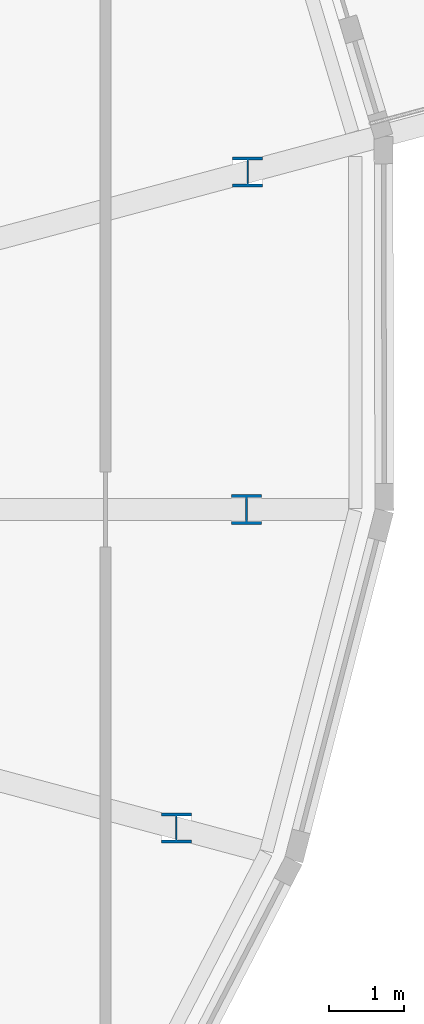
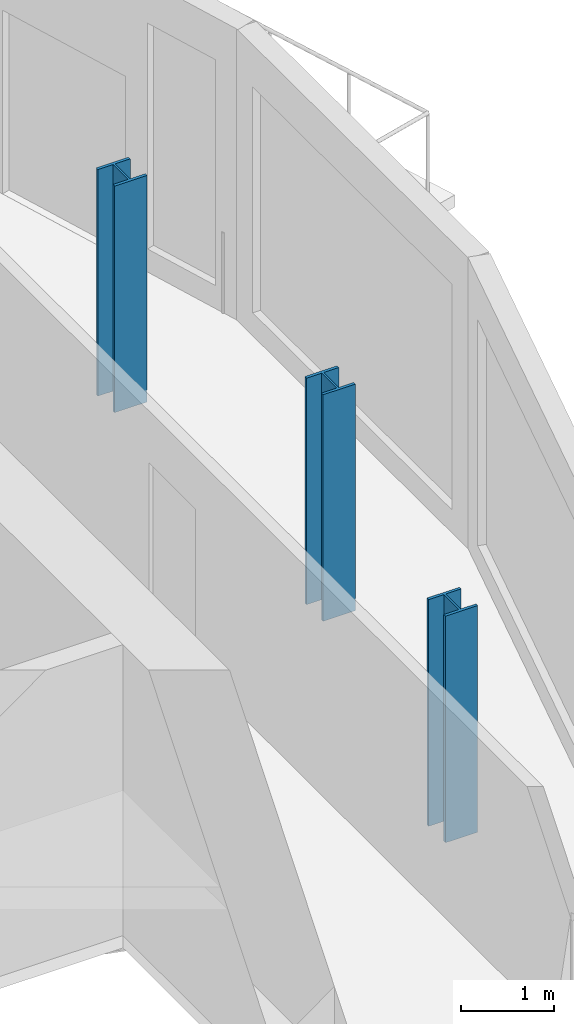
# One storey, part 2 of 39: 3 columns.
"""IFC4 building model written with IfcOpenShell, lengths in metres."""

from ifc_helpers import new_model, si_unit, direction, frame, origin, origin_2d, place, context, subcontext, project, spatial, i_section, extrude, material, material_profile, profile_set, type_object, element, save


model = new_model("IFC4")

# Units and contexts
model_context = context("Model", 3, precision=1e-05, world=origin(), true_north=direction((0.0, 1.0)))
body_context = subcontext(model_context, "Body", "Model", "MODEL_VIEW")
ifc_project = project(units=[si_unit("LENGTHUNIT", "METRE"), si_unit("AREAUNIT", "SQUARE_METRE"), si_unit("VOLUMEUNIT", "CUBIC_METRE"), si_unit("PLANEANGLEUNIT", "RADIAN"), si_unit("MASSUNIT", "GRAM", prefix="KILO")], contexts=[model_context])

# Site, building, storey
site_placement = place(None, origin())
site = spatial("IfcSite", under=ifc_project, at=site_placement, CompositionType="ELEMENT")
building_placement = place(site_placement, origin())
building = spatial("IfcBuilding", under=site, at=building_placement, Name="Rimbun Link Towers", CompositionType="ELEMENT")
storey_placement = place(building_placement, frame((0.0, 0.0, 115.800048828125)))
storey = spatial("IfcBuildingStorey", under=building, at=storey_placement, Name="L28", CompositionType="ELEMENT", Elevation=115.800048828125)

# Columns
ifc_material = material(Name="Steel S355J2", Category="steel")
ifc_material_profile = material_profile(ifc_material, i_section(OverallWidth=0.39892578125, OverallDepth=0.3935546875, WebThickness=0.022705078125, FlangeThickness=0.03662109375, at=origin_2d()), Name="UC 356x406x287")
ifc_profile_set = profile_set([ifc_material_profile], Name="Steel S355J2")
column_type = type_object("IfcColumnType", Name="UC 356x406x287", PredefinedType="COLUMN", material=ifc_profile_set)
for number, where, z_axis, x_axis, name in (
    (1, (47.5419921875, -4.2314453125, -0.16015625), (0.0, 0.0, 1.0), (1.0, 0.0, 0.0), "Crease post T2 L28 20"),
    (2, (48.475341796875, 0.0, -0.16015625), (0.0, 0.0, 1.0), (1.0, 0.0, 0.0), "Crease post T2 L28 21"),
    (3, (48.4892578125, 4.4853515625, -0.16015625), (0.0, 0.0, 1.0), (1.0, 0.0, 0.0), "Crease post T2 L28 22"),
):
    element("IfcColumn", number, at=place(storey_placement, frame(where, z_axis=z_axis, x_axis=x_axis)), inside=storey, type_object=column_type, Name=name, PredefinedType="COLUMN", context=body_context, shape_type="SweptSolid", body=[
        extrude(i_section(OverallWidth=0.39892578125, OverallDepth=0.3935546875, WebThickness=0.022705078125, FlangeThickness=0.03662109375, at=origin_2d()), origin(), (0.0, 0.0, 1.0), 2.95947265625),
    ])

save(model, "model.ifc")
